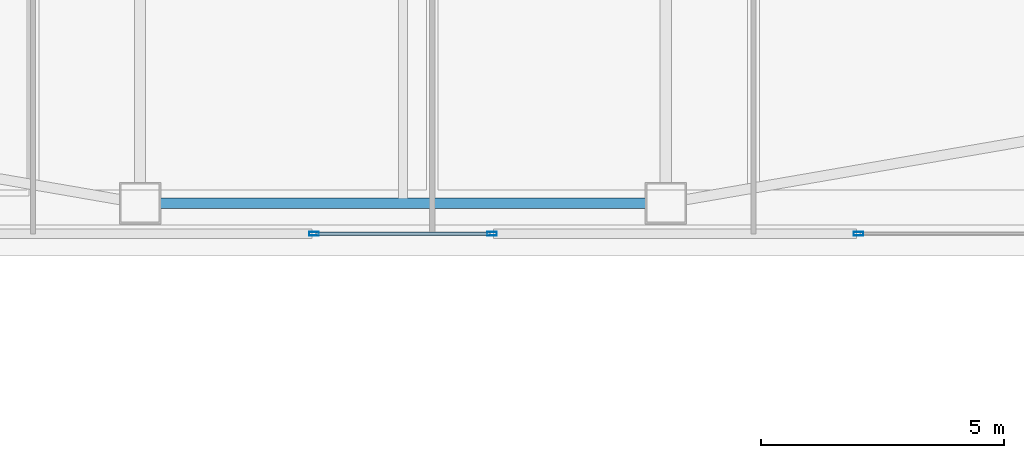
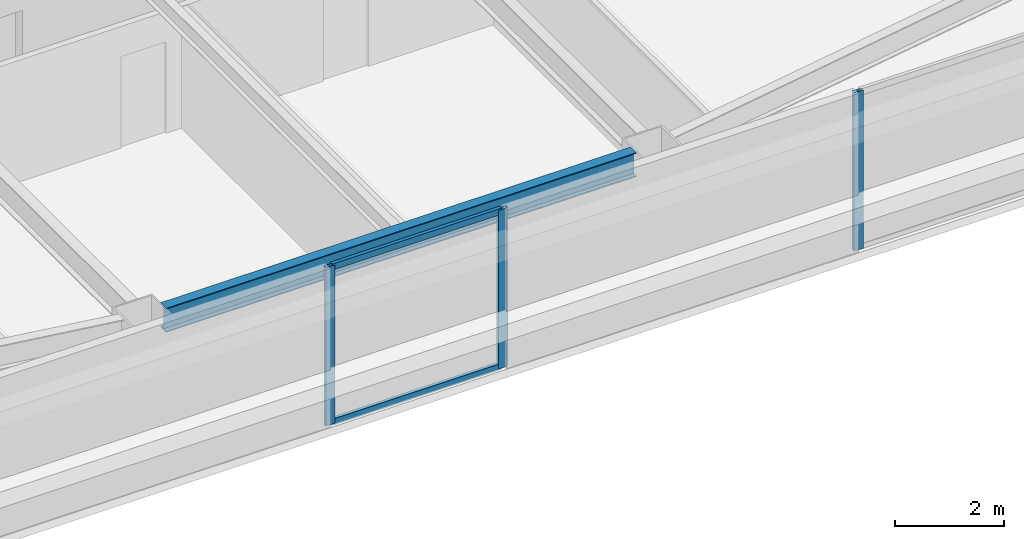
# One storey, part 6 of 44: 5 members, 1 beam, 2 elements without a shape of their own.
"""IFC4 building model written with IfcOpenShell, lengths in metres."""

from ifc_helpers import new_model, si_unit, direction, frame, origin, origin_2d, place, context, subcontext, project, spatial, hollow_rectangle, i_section, extrude, material, material_profile, profile_set, type_object, element, aggregate, save


model = new_model("IFC4")

# Units and contexts
model_context = context("Model", 3, precision=1e-05, world=origin(), true_north=direction((0.0, 1.0)))
body_context = subcontext(model_context, "Body", "Model", "MODEL_VIEW")
ifc_project = project(units=[si_unit("LENGTHUNIT", "METRE"), si_unit("AREAUNIT", "SQUARE_METRE"), si_unit("VOLUMEUNIT", "CUBIC_METRE"), si_unit("PLANEANGLEUNIT", "RADIAN"), si_unit("MASSUNIT", "GRAM", prefix="KILO")], contexts=[model_context])

# Site, building, storey
site_placement = place(None, origin())
site = spatial("IfcSite", under=ifc_project, at=site_placement, CompositionType="ELEMENT")
building_placement = place(site_placement, origin())
building = spatial("IfcBuilding", under=site, at=building_placement, Name="Tashvorn Skyway Center", CompositionType="ELEMENT")
storey_placement = place(building_placement, frame((0.0, 0.0, 128.60009765625)))
storey = spatial("IfcBuildingStorey", under=building, at=storey_placement, Name="L34", CompositionType="ELEMENT", Elevation=128.60009765625)

# Beam
ifc_material_1 = material(Name="Steel ASTM A992 Grade 50", Category="steel")
ifc_material_profile_1 = material_profile(ifc_material_1, i_section(OverallWidth=0.2109375, OverallDepth=0.5390625, WebThickness=0.01171875, FlangeThickness=0.018798828125, at=origin_2d()), Name="W21X73")
ifc_profile_set_1 = profile_set([ifc_material_profile_1], Name="Steel ASTM A992 Grade 50")
beam_type = type_object("IfcBeamType", Name="BM-SPANDREL-W21X73", PredefinedType="SPANDREL", material=ifc_profile_set_1)
beam_placement = place(storey_placement, frame((37.02001953125, 13.35009765625, 3.100341796875), z_axis=(1.0, 0.0, 0.0), x_axis=(0.0, 1.0, 0.0)))
element("IfcBeam", 1, at=beam_placement, inside=storey, type_object=beam_type, Name="Tower 1 L34 Spandrel Beam 02", PredefinedType="SPANDREL", context=body_context, shape_type="SweptSolid", body=[
    extrude(i_section(OverallWidth=0.2109375, OverallDepth=0.5390625, WebThickness=0.01171875, FlangeThickness=0.018798828125, at=origin_2d()), origin(), (0.0, 0.0, 1.0), 9.9599609375),
])

# Curtain wall, member
ifc_material_2 = material(Name="Thermally broken bronze-anodized aluminium 6063-T6", Category="aluminium")
curtain_wall_type = type_object("IfcCurtainWallType", Name="CW-CW-Z3", PredefinedType="NOTDEFINED", material=ifc_material_2)
curtain_wall_1_placement = place(storey_placement, origin())
curtain_wall_1 = element("IfcCurtainWall", 2, at=curtain_wall_1_placement, inside=storey, type_object=curtain_wall_type, Name="Tower 1 L34 South Unitised Curtain Wall Glazing Group 1", PredefinedType="NOTDEFINED")
ifc_material_profile_2 = material_profile(ifc_material_2, hollow_rectangle(XDim=0.074951171875, YDim=0.199951171875, WallThickness=0.00439453125, at=origin_2d()), Name="ALU-MULL-75x200")
ifc_profile_set_2 = profile_set([ifc_material_profile_2], Name="Thermally broken bronze-anodized aluminium 6063-T6")
member_type_1 = type_object("IfcMemberType", Name="CWM-CW-Z3", PredefinedType="MULLION", material=ifc_profile_set_2)
member_1_placement = place(storey_placement, frame((51.359619140625, 12.719970703125, 0.0), z_axis=(0.0, 0.0, 1.0), x_axis=(0.0, -1.0, 0.0)))
member_1 = element("IfcMember", 3, at=member_1_placement, type_object=member_type_1, Name="CW-Z3 mullion 3", PredefinedType="MULLION", context=body_context, shape_type="SweptSolid", body=[
    extrude(hollow_rectangle(XDim=0.074951171875, YDim=0.199951171875, WallThickness=0.00439453125, at=origin_2d()), origin(), (0.0, 0.0, 1.0), 3.5498046875),
])
aggregate(curtain_wall_1, [member_1])

# Curtain wall, members
curtain_wall_2_placement = place(storey_placement, origin())
curtain_wall_2 = element("IfcCurtainWall", 4, at=curtain_wall_2_placement, inside=storey, type_object=curtain_wall_type, Name="Tower 1 L34 South Unitised Curtain Wall Glazing Group 2", PredefinedType="NOTDEFINED")
member_2_placement = place(storey_placement, frame((43.826904296875, 12.719970703125, 0.0), z_axis=(0.0, 0.0, 1.0), x_axis=(0.0, -1.0, 0.0)))
member_2 = element("IfcMember", 5, at=member_2_placement, type_object=member_type_1, Name="CW-Z3 mullion 1", PredefinedType="MULLION", context=body_context, shape_type="SweptSolid", body=[
    extrude(hollow_rectangle(XDim=0.074951171875, YDim=0.199951171875, WallThickness=0.00439453125, at=origin_2d()), origin(), (0.0, 0.0, 1.0), 3.5498046875),
])
member_3_placement = place(storey_placement, frame((40.173095703125, 12.719970703125, 0.0), z_axis=(0.0, 0.0, 1.0), x_axis=(0.0, -1.0, 0.0)))
member_3 = element("IfcMember", 6, at=member_3_placement, type_object=member_type_1, Name="CW-Z3 mullion 2", PredefinedType="MULLION", context=body_context, shape_type="SweptSolid", body=[
    extrude(hollow_rectangle(XDim=0.074951171875, YDim=0.199951171875, WallThickness=0.00439453125, at=origin_2d()), origin(), (0.0, 0.0, 1.0), 3.5498046875),
])
ifc_material_profile_3 = material_profile(ifc_material_2, hollow_rectangle(XDim=0.074951171875, YDim=0.139892578125, WallThickness=0.004150390625, at=origin_2d()), Name="ALU-TRAN-75x140")
ifc_profile_set_3 = profile_set([ifc_material_profile_3], Name="Thermally broken bronze-anodized aluminium 6063-T6")
member_type_2 = type_object("IfcMemberType", Name="CWT-CW-Z3", PredefinedType="USERDEFINED", material=ifc_profile_set_3)
member_4_placement = place(storey_placement, frame((43.789306640625, 12.719970703125, 0.037353515625), z_axis=(-1.0, 0.0, 0.0), x_axis=(0.0, -1.0, 0.0)))
member_4 = element("IfcMember", 7, at=member_4_placement, type_object=member_type_2, Name="CW-Z3 transom 1.1", ObjectType="TRANSOM", PredefinedType="USERDEFINED", context=body_context, shape_type="SweptSolid", body=[
    extrude(hollow_rectangle(XDim=0.074951171875, YDim=0.139892578125, WallThickness=0.004150390625, at=origin_2d()), origin(), (0.0, 0.0, 1.0), 3.57861328125),
])
member_5_placement = place(storey_placement, frame((43.789306640625, 12.719970703125, 3.512451171875), z_axis=(-1.0, 0.0, 0.0), x_axis=(0.0, -1.0, 0.0)))
member_5 = element("IfcMember", 8, at=member_5_placement, type_object=member_type_2, Name="CW-Z3 transom 1.2", ObjectType="TRANSOM", PredefinedType="USERDEFINED", context=body_context, shape_type="SweptSolid", body=[
    extrude(hollow_rectangle(XDim=0.074951171875, YDim=0.139892578125, WallThickness=0.004150390625, at=origin_2d()), origin(), (0.0, 0.0, 1.0), 3.57861328125),
])
aggregate(curtain_wall_2, [member_2, member_3, member_4, member_5])

save(model, "model.ifc")
